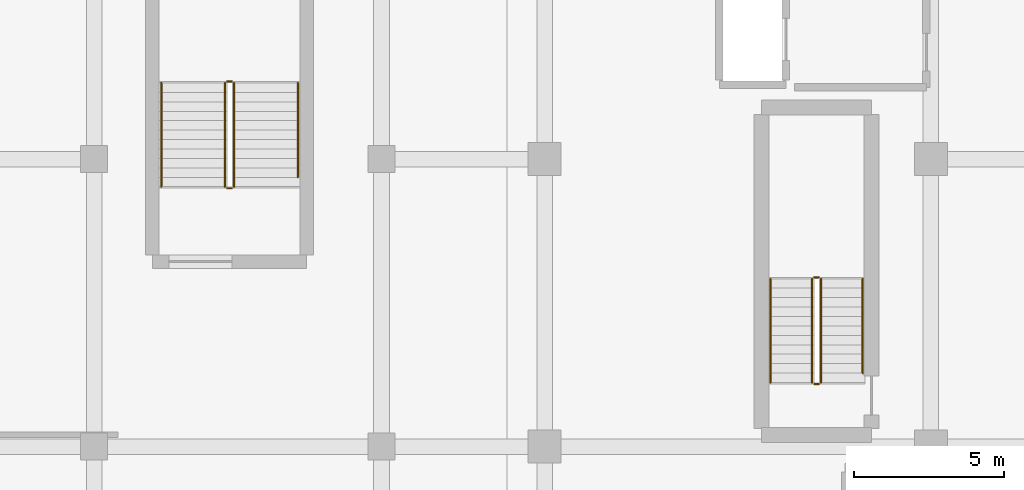
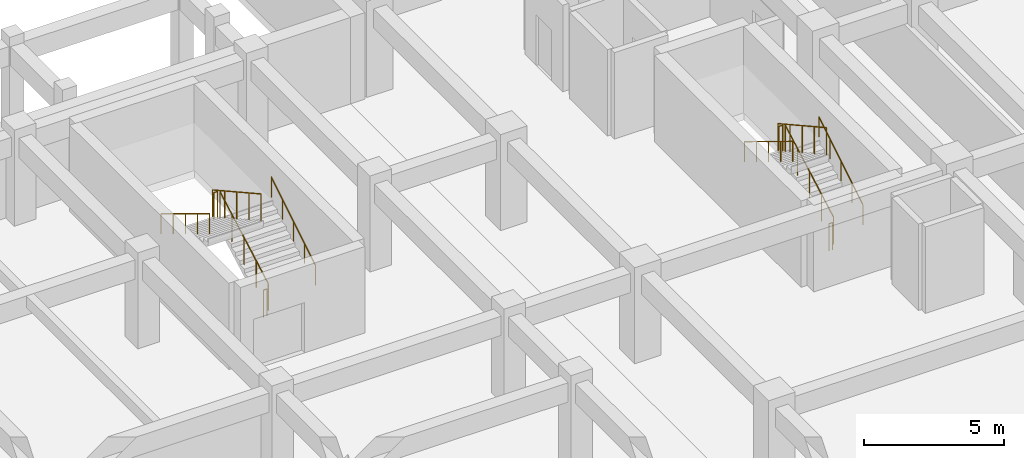
# One storey, part 37 of 39: 12 railings.
"""IFC4 building model written with IfcOpenShell, lengths in metres."""

from ifc_helpers import new_model, si_unit, direction, frame, origin, origin_2d, place, context, subcontext, project, spatial, circle, extrude, material, type_object, element, save


model = new_model("IFC4")

# Units and contexts
model_context = context("Model", 3, precision=1e-05, world=origin(), true_north=direction((0.0, 1.0)))
body_context = subcontext(model_context, "Body", "Model", "MODEL_VIEW")
ifc_project = project(units=[si_unit("LENGTHUNIT", "METRE"), si_unit("AREAUNIT", "SQUARE_METRE"), si_unit("VOLUMEUNIT", "CUBIC_METRE"), si_unit("PLANEANGLEUNIT", "RADIAN"), si_unit("MASSUNIT", "GRAM", prefix="KILO")], contexts=[model_context])

# Site, building, storey
site_placement = place(None, origin())
site = spatial("IfcSite", under=ifc_project, at=site_placement, CompositionType="ELEMENT")
building_placement = place(site_placement, origin())
building = spatial("IfcBuilding", under=site, at=building_placement, Name="Nakhvara Creek Congress Hotel", CompositionType="ELEMENT")
storey_placement = place(building_placement, frame((0.0, 0.0, -4.199951171875)))
storey = spatial("IfcBuildingStorey", under=building, at=storey_placement, Name="B1", CompositionType="ELEMENT", Elevation=-4.199951171875)

# Railings
ifc_material = material(Name="Brushed stainless steel 316L", Category="steel")
railing_type_1 = type_object("IfcRailingType", Name="RL-GUARD-1200", PredefinedType="GUARDRAIL", material=ifc_material)
railing_1_placement = place(storey_placement, frame((158.68505859375, 78.93994140625, 0.175048828125)))
element("IfcRailing", 1, at=railing_1_placement, inside=storey, type_object=railing_type_1, Name="B1 ST01 stair guard 1", PredefinedType="GUARDRAIL", context=body_context, shape_type="SweptSolid", body=[
    extrude(circle(Radius=0.02392578125, at=origin_2d()), frame((0.0, 0.012939453125, 1.18310546875), z_axis=(0.0, 0.874183422646, 0.48559586445), x_axis=(-1.0, 0.0, 0.0)), (0.0, 0.0, 1.0), 3.934326171875),
    extrude(circle(Radius=0.02099609375, at=origin_2d()), origin(), (0.0, 0.0, 1.0), 1.1806640625),
    extrude(circle(Radius=0.02099609375, at=origin_2d()), frame((0.0, 0.8662109375, 0.481201171875)), (0.0, 0.0, 1.0), 1.1806640625),
    extrude(circle(Radius=0.02099609375, at=origin_2d()), frame((0.0, 1.732421875, 0.96240234375)), (0.0, 0.0, 1.0), 1.1806640625),
    extrude(circle(Radius=0.02099609375, at=origin_2d()), frame((0.0, 2.598876953125, 1.443603515625)), (0.0, 0.0, 1.0), 1.1806640625),
    extrude(circle(Radius=0.02099609375, at=origin_2d()), frame((0.0, 3.465087890625, 1.9248046875)), (0.0, 0.0, 1.0), 1.1806640625),
])
railing_2_placement = place(storey_placement, frame((158.610107421875, 82.455078125, 2.099853515625)))
element("IfcRailing", 2, at=railing_2_placement, inside=storey, type_object=railing_type_1, Name="B1 ST01 stair guard 2", PredefinedType="GUARDRAIL", context=body_context, shape_type="SweptSolid", body=[
    extrude(circle(Radius=0.02392578125, at=origin_2d()), frame((-0.0146484375, 0.0, 1.17578125), z_axis=(-1.0, 0.0, 0.0), x_axis=(0.0, -1.0, 0.0)), (0.0, 0.0, 1.0), 0.120849609375),
    extrude(circle(Radius=0.02099609375, at=origin_2d()), origin(), (0.0, 0.0, 1.0), 1.1806640625),
    extrude(circle(Radius=0.02099609375, at=origin_2d()), frame((-0.150146484375, 0.0, 0.0)), (0.0, 0.0, 1.0), 1.1806640625),
])
railing_3_placement = place(storey_placement, frame((158.385009765625, 82.405029296875, 2.27490234375)))
element("IfcRailing", 3, at=railing_3_placement, inside=storey, type_object=railing_type_1, Name="B1 ST01 stair guard 3", PredefinedType="GUARDRAIL", context=body_context, shape_type="SweptSolid", body=[
    extrude(circle(Radius=0.02392578125, at=origin_2d()), frame((0.0, -0.012939453125, 1.18310546875), z_axis=(0.0, -0.874157276122, 0.485642931179), x_axis=(1.0, 0.0, 0.0)), (0.0, 0.0, 1.0), 3.9345703125),
    extrude(circle(Radius=0.02099609375, at=origin_2d()), origin(), (0.0, 0.0, 1.0), 1.1806640625),
    extrude(circle(Radius=0.02099609375, at=origin_2d()), frame((0.0, -0.8662109375, 0.481201171875)), (0.0, 0.0, 1.0), 1.1806640625),
    extrude(circle(Radius=0.02099609375, at=origin_2d()), frame((0.0, -1.732421875, 0.96240234375)), (0.0, 0.0, 1.0), 1.1806640625),
    extrude(circle(Radius=0.02099609375, at=origin_2d()), frame((0.0, -2.598876953125, 1.44384765625)), (0.0, 0.0, 1.0), 1.1806640625),
    extrude(circle(Radius=0.02099609375, at=origin_2d()), frame((0.0, -3.465087890625, 1.925048828125)), (0.0, 0.0, 1.0), 1.1806640625),
])
railing_4_placement = place(storey_placement, frame((158.610107421875, 78.889892578125, 0.0)))
element("IfcRailing", 4, at=railing_4_placement, inside=storey, type_object=railing_type_1, Name="B1 ST01 stair guard 4", PredefinedType="GUARDRAIL", context=body_context, shape_type="SweptSolid", body=[
    extrude(circle(Radius=0.02392578125, at=origin_2d()), frame((-0.0146484375, 0.0, 1.17578125), z_axis=(-1.0, 0.0, 0.0), x_axis=(0.0, -1.0, 0.0)), (0.0, 0.0, 1.0), 0.120849609375),
    extrude(circle(Radius=0.02099609375, at=origin_2d()), origin(), (0.0, 0.0, 1.0), 1.1806640625),
    extrude(circle(Radius=0.02099609375, at=origin_2d()), frame((-0.150146484375, 0.0, 0.0)), (0.0, 0.0, 1.0), 1.1806640625),
])
railing_5_placement = place(storey_placement, frame((139.074951171875, 85.47998046875, 0.175048828125)))
element("IfcRailing", 5, at=railing_5_placement, inside=storey, type_object=railing_type_1, Name="B1 ST10 stair guard 1", PredefinedType="GUARDRAIL", context=body_context, shape_type="SweptSolid", body=[
    extrude(circle(Radius=0.02392578125, at=origin_2d()), frame((0.0, 0.012939453125, 1.18310546875), z_axis=(0.0, 0.874183422646, 0.48559586445), x_axis=(-1.0, 0.0, 0.0)), (0.0, 0.0, 1.0), 3.934326171875),
    extrude(circle(Radius=0.02099609375, at=origin_2d()), origin(), (0.0, 0.0, 1.0), 1.1806640625),
    extrude(circle(Radius=0.02099609375, at=origin_2d()), frame((0.0, 0.8662109375, 0.481201171875)), (0.0, 0.0, 1.0), 1.1806640625),
    extrude(circle(Radius=0.02099609375, at=origin_2d()), frame((0.0, 1.732421875, 0.96240234375)), (0.0, 0.0, 1.0), 1.1806640625),
    extrude(circle(Radius=0.02099609375, at=origin_2d()), frame((0.0, 2.598876953125, 1.443603515625)), (0.0, 0.0, 1.0), 1.1806640625),
    extrude(circle(Radius=0.02099609375, at=origin_2d()), frame((0.0, 3.465087890625, 1.9248046875)), (0.0, 0.0, 1.0), 1.1806640625),
])
railing_6_placement = place(storey_placement, frame((139.0, 88.9951171875, 2.099853515625)))
element("IfcRailing", 6, at=railing_6_placement, inside=storey, type_object=railing_type_1, Name="B1 ST10 stair guard 2", PredefinedType="GUARDRAIL", context=body_context, shape_type="SweptSolid", body=[
    extrude(circle(Radius=0.02392578125, at=origin_2d()), frame((-0.0146484375, 0.0, 1.17578125), z_axis=(-1.0, 0.0, 0.0), x_axis=(0.0, -1.0, 0.0)), (0.0, 0.0, 1.0), 0.12060546875),
    extrude(circle(Radius=0.02099609375, at=origin_2d()), origin(), (0.0, 0.0, 1.0), 1.1806640625),
    extrude(circle(Radius=0.02099609375, at=origin_2d()), frame((-0.14990234375, 0.0, 0.0)), (0.0, 0.0, 1.0), 1.1806640625),
])
railing_7_placement = place(storey_placement, frame((138.77490234375, 88.945068359375, 2.27490234375)))
element("IfcRailing", 7, at=railing_7_placement, inside=storey, type_object=railing_type_1, Name="B1 ST10 stair guard 3", PredefinedType="GUARDRAIL", context=body_context, shape_type="SweptSolid", body=[
    extrude(circle(Radius=0.02392578125, at=origin_2d()), frame((0.0, -0.012939453125, 1.18310546875), z_axis=(0.0, -0.874157276122, 0.485642931179), x_axis=(1.0, 0.0, 0.0)), (0.0, 0.0, 1.0), 3.9345703125),
    extrude(circle(Radius=0.02099609375, at=origin_2d()), origin(), (0.0, 0.0, 1.0), 1.1806640625),
    extrude(circle(Radius=0.02099609375, at=origin_2d()), frame((0.0, -0.8662109375, 0.481201171875)), (0.0, 0.0, 1.0), 1.1806640625),
    extrude(circle(Radius=0.02099609375, at=origin_2d()), frame((0.0, -1.732421875, 0.96240234375)), (0.0, 0.0, 1.0), 1.1806640625),
    extrude(circle(Radius=0.02099609375, at=origin_2d()), frame((0.0, -2.598876953125, 1.44384765625)), (0.0, 0.0, 1.0), 1.1806640625),
    extrude(circle(Radius=0.02099609375, at=origin_2d()), frame((0.0, -3.465087890625, 1.925048828125)), (0.0, 0.0, 1.0), 1.1806640625),
])
railing_8_placement = place(storey_placement, frame((139.0, 85.429931640625, 0.0)))
element("IfcRailing", 8, at=railing_8_placement, inside=storey, type_object=railing_type_1, Name="B1 ST10 stair guard 4", PredefinedType="GUARDRAIL", context=body_context, shape_type="SweptSolid", body=[
    extrude(circle(Radius=0.02392578125, at=origin_2d()), frame((-0.0146484375, 0.0, 1.17578125), z_axis=(-1.0, 0.0, 0.0), x_axis=(0.0, -1.0, 0.0)), (0.0, 0.0, 1.0), 0.12060546875),
    extrude(circle(Radius=0.02099609375, at=origin_2d()), origin(), (0.0, 0.0, 1.0), 1.1806640625),
    extrude(circle(Radius=0.02099609375, at=origin_2d()), frame((-0.14990234375, 0.0, 0.0)), (0.0, 0.0, 1.0), 1.1806640625),
])
railing_type_2 = type_object("IfcRailingType", Name="RL-HAND-900", PredefinedType="HANDRAIL", material=ifc_material)
railing_9_placement = place(storey_placement, frame((160.074951171875, 79.2548828125, 0.349853515625)))
element("IfcRailing", 9, at=railing_9_placement, inside=storey, type_object=railing_type_2, Name="B1 ST01 stair handrail 1", PredefinedType="HANDRAIL", context=body_context, shape_type="SweptSolid", body=[
    extrude(circle(Radius=0.02392578125, at=origin_2d()), frame((0.0, 0.012451171875, 0.883544921875), z_axis=(0.0, 0.851961960065, 0.523603684672), x_axis=(-1.0, 0.0, 0.0)), (0.0, 0.0, 1.0), 3.668212890625),
    extrude(circle(Radius=0.02099609375, at=origin_2d()), origin(), (0.0, 0.0, 1.0), 0.880615234375),
    extrude(circle(Radius=0.02099609375, at=origin_2d()), frame((0.0, 0.78759765625, 0.48388671875)), (0.0, 0.0, 1.0), 0.880615234375),
    extrude(circle(Radius=0.02099609375, at=origin_2d()), frame((0.0, 1.5751953125, 0.968017578125)), (0.0, 0.0, 1.0), 0.880615234375),
    extrude(circle(Radius=0.02099609375, at=origin_2d()), frame((0.0, 2.362548828125, 1.4521484375)), (0.0, 0.0, 1.0), 0.880615234375),
    extrude(circle(Radius=0.02099609375, at=origin_2d()), frame((0.0, 3.150146484375, 1.93603515625)), (0.0, 0.0, 1.0), 0.880615234375),
])
railing_10_placement = place(storey_placement, frame((156.9951171875, 82.405029296875, 2.27490234375)))
element("IfcRailing", 10, at=railing_10_placement, inside=storey, type_object=railing_type_2, Name="B1 ST01 stair handrail 2", PredefinedType="HANDRAIL", context=body_context, shape_type="SweptSolid", body=[
    extrude(circle(Radius=0.02392578125, at=origin_2d()), frame((0.0, -0.012451171875, 0.883544921875), z_axis=(0.0, -0.853990507121, 0.520288586985), x_axis=(1.0, 0.0, 0.0)), (0.0, 0.0, 1.0), 4.028076171875),
    extrude(circle(Radius=0.02099609375, at=origin_2d()), origin(), (0.0, 0.0, 1.0), 0.880615234375),
    extrude(circle(Radius=0.02099609375, at=origin_2d()), frame((0.0, -0.8662109375, 0.52783203125)), (0.0, 0.0, 1.0), 0.880615234375),
    extrude(circle(Radius=0.02099609375, at=origin_2d()), frame((0.0, -1.732421875, 1.0556640625)), (0.0, 0.0, 1.0), 0.880615234375),
    extrude(circle(Radius=0.02099609375, at=origin_2d()), frame((0.0, -2.598876953125, 1.583251953125)), (0.0, 0.0, 1.0), 0.880615234375),
    extrude(circle(Radius=0.02099609375, at=origin_2d()), frame((0.0, -3.465087890625, 2.111083984375)), (0.0, 0.0, 1.0), 0.880615234375),
])
railing_11_placement = place(storey_placement, frame((141.205078125, 85.794921875, 0.349853515625)))
element("IfcRailing", 11, at=railing_11_placement, inside=storey, type_object=railing_type_2, Name="B1 ST10 stair handrail 1", PredefinedType="HANDRAIL", context=body_context, shape_type="SweptSolid", body=[
    extrude(circle(Radius=0.02392578125, at=origin_2d()), frame((0.0, 0.012451171875, 0.883544921875), z_axis=(0.0, 0.851961960065, 0.523603684672), x_axis=(-1.0, 0.0, 0.0)), (0.0, 0.0, 1.0), 3.668212890625),
    extrude(circle(Radius=0.02099609375, at=origin_2d()), origin(), (0.0, 0.0, 1.0), 0.880615234375),
    extrude(circle(Radius=0.02099609375, at=origin_2d()), frame((0.0, 0.78759765625, 0.48388671875)), (0.0, 0.0, 1.0), 0.880615234375),
    extrude(circle(Radius=0.02099609375, at=origin_2d()), frame((0.0, 1.5751953125, 0.968017578125)), (0.0, 0.0, 1.0), 0.880615234375),
    extrude(circle(Radius=0.02099609375, at=origin_2d()), frame((0.0, 2.362548828125, 1.4521484375)), (0.0, 0.0, 1.0), 0.880615234375),
    extrude(circle(Radius=0.02099609375, at=origin_2d()), frame((0.0, 3.150146484375, 1.93603515625)), (0.0, 0.0, 1.0), 0.880615234375),
])
railing_12_placement = place(storey_placement, frame((136.64501953125, 88.945068359375, 2.27490234375)))
element("IfcRailing", 12, at=railing_12_placement, inside=storey, type_object=railing_type_2, Name="B1 ST10 stair handrail 2", PredefinedType="HANDRAIL", context=body_context, shape_type="SweptSolid", body=[
    extrude(circle(Radius=0.02392578125, at=origin_2d()), frame((0.0, -0.012451171875, 0.883544921875), z_axis=(0.0, -0.853990507121, 0.520288586985), x_axis=(1.0, 0.0, 0.0)), (0.0, 0.0, 1.0), 4.028076171875),
    extrude(circle(Radius=0.02099609375, at=origin_2d()), origin(), (0.0, 0.0, 1.0), 0.880615234375),
    extrude(circle(Radius=0.02099609375, at=origin_2d()), frame((0.0, -0.8662109375, 0.52783203125)), (0.0, 0.0, 1.0), 0.880615234375),
    extrude(circle(Radius=0.02099609375, at=origin_2d()), frame((0.0, -1.732421875, 1.0556640625)), (0.0, 0.0, 1.0), 0.880615234375),
    extrude(circle(Radius=0.02099609375, at=origin_2d()), frame((0.0, -2.598876953125, 1.583251953125)), (0.0, 0.0, 1.0), 0.880615234375),
    extrude(circle(Radius=0.02099609375, at=origin_2d()), frame((0.0, -3.465087890625, 2.111083984375)), (0.0, 0.0, 1.0), 0.880615234375),
])

save(model, "model.ifc")
